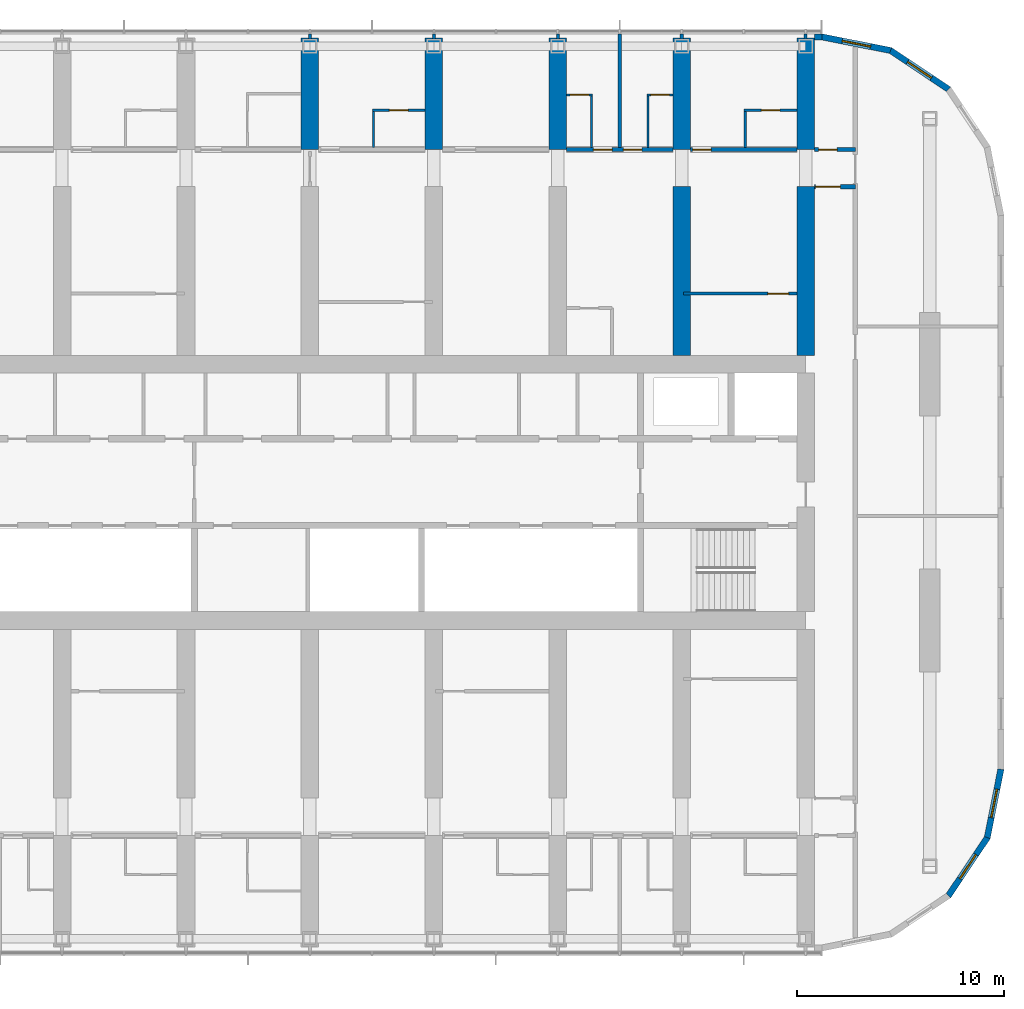
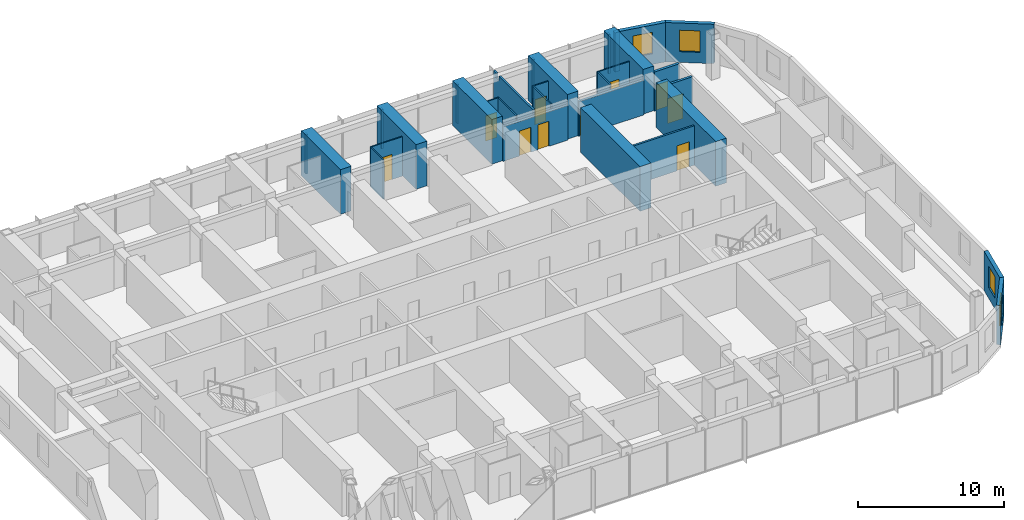
# One storey, part 16 of 22: 31 walls, 10 doors, 4 windows, 14 openings.
"""IFC4 building model written with IfcOpenShell, lengths in metres."""

from ifc_helpers import new_model, si_unit, direction, frame, frame_2d, origin, place, context, subcontext, project, spatial, polyline, rectangle, outline, extrude, material, layer, layer_set, type_object, element, fill, save


model = new_model("IFC4")

# Units and contexts
model_context = context("Model", 3, precision=1e-05, world=origin(), true_north=direction((0.0, 1.0)))
body_context = subcontext(model_context, "Body", "Model", "MODEL_VIEW")
ifc_project = project(units=[si_unit("LENGTHUNIT", "METRE"), si_unit("AREAUNIT", "SQUARE_METRE"), si_unit("VOLUMEUNIT", "CUBIC_METRE"), si_unit("PLANEANGLEUNIT", "RADIAN"), si_unit("MASSUNIT", "GRAM", prefix="KILO")], contexts=[model_context])

# Site, building, storey
site_placement = place(None, origin())
site = spatial("IfcSite", under=ifc_project, at=site_placement, CompositionType="ELEMENT")
building_placement = place(site_placement, origin())
building = spatial("IfcBuilding", under=site, at=building_placement, Name="Orbita Commons", CompositionType="ELEMENT")
storey_placement = place(building_placement, frame((0.0, 0.0, 189.85009765625)))
storey = spatial("IfcBuildingStorey", under=building, at=storey_placement, Name="L47", CompositionType="ELEMENT", Elevation=189.85009765625)

# Wall, openings, doors
ifc_material_1 = material(Name="Concrete blockwork", Category="masonry")
ifc_layer_1 = layer(ifc_material_1, 0.199951171875)
ifc_layer_set_1 = layer_set([ifc_layer_1], Name="Concrete blockwork")
wall_type_1 = type_object("IfcWallType", Name="Corridor wall 200 blockwork", PredefinedType="SOLIDWALL", material=ifc_layer_set_1)
wall_1_placement = place(storey_placement, frame((54.425048828125, 48.60009765625, 0.0), z_axis=(0.0, 0.0, 1.0), x_axis=(1.0, 0.0, 0.0)))
wall_1 = element("IfcWall", 1, at=wall_1_placement, inside=storey, type_object=wall_type_1, Name="Corridor wall 200 blockwork L47", PredefinedType="SOLIDWALL", context=body_context, shape_type="SweptSolid", body=[
    extrude(outline(polyline([(0.0, 0.0), (5.14990234375, 0.0), (5.14990234375, 2.89990234375), (0.0, 2.89990234375), (0.0, 0.0)])), frame((0.0, 0.10009765625, 0.0), z_axis=(0.0, -1.0, 0.0), x_axis=(1.0, 0.0, 0.0)), (0.0, 0.0, 1.0), 0.199951171875),
])
opening_1_placement = place(wall_1_placement, frame((1.300048828125, 0.0, 0.0)))
opening_1 = element("IfcOpeningElement", 2, at=opening_1_placement, cuts=wall_1, Name="Opening D11", PredefinedType="OPENING", context=body_context, shape_type="SweptSolid", body=[
    extrude(rectangle(XDim=0.89990234375, YDim=2.10009765625, at=frame_2d((0.449951171875, 1.050048828125))), frame((0.0, 0.10986328125, 0.0), z_axis=(0.0, -1.0, 0.0), x_axis=(1.0, 0.0, 0.0)), (0.0, 0.0, 1.0), 0.219970703125),
])
opening_2_placement = place(wall_1_placement, frame((2.75, 0.0, 0.0)))
opening_2 = element("IfcOpeningElement", 3, at=opening_2_placement, cuts=wall_1, Name="Opening D11", PredefinedType="OPENING", context=body_context, shape_type="SweptSolid", body=[
    extrude(rectangle(XDim=0.89990234375, YDim=2.10009765625, at=frame_2d((0.449951171875, 1.050048828125))), frame((0.0, 0.10986328125, 0.0), z_axis=(0.0, -1.0, 0.0), x_axis=(1.0, 0.0, 0.0)), (0.0, 0.0, 1.0), 0.219970703125),
])
ifc_material_2 = material(Name="Steel-faced fire door leaf", Category="steel")
door_type_1 = type_object("IfcDoorType", Name="Corridor door 20 min 900x2100", OperationType="SINGLE_SWING_LEFT", PredefinedType="DOOR", material=ifc_material_2)
door_1_placement = place(opening_1_placement, origin())
door_1 = element("IfcDoor", 4, at=door_1_placement, inside=storey, type_object=door_type_1, Name="Cluster bedroom L47-N12 door", OperationType="SINGLE_SWING_LEFT", OverallHeight=2.10009765625, OverallWidth=0.89990234375, PredefinedType="DOOR", context=body_context, shape_type="SweptSolid", body=[
    extrude(rectangle(XDim=0.89990234375, YDim=2.10009765625, at=frame_2d((0.449951171875, 1.050048828125))), frame((0.0, 0.02490234375, 0.0), z_axis=(0.0, -1.0, 0.0), x_axis=(1.0, 0.0, 0.0)), (0.0, 0.0, 1.0), 0.050048828125),
])
fill(opening_1, door_1)
door_2_placement = place(opening_2_placement, origin())
door_2 = element("IfcDoor", 5, at=door_2_placement, inside=storey, type_object=door_type_1, Name="Cluster bedroom L47-N13 door", OperationType="SINGLE_SWING_LEFT", OverallHeight=2.10009765625, OverallWidth=0.89990234375, PredefinedType="DOOR", context=body_context, shape_type="SweptSolid", body=[
    extrude(rectangle(XDim=0.89990234375, YDim=2.10009765625, at=frame_2d((0.449951171875, 1.050048828125))), frame((0.0, 0.02490234375, 0.0), z_axis=(0.0, -1.0, 0.0), x_axis=(1.0, 0.0, 0.0)), (0.0, 0.0, 1.0), 0.050048828125),
])
fill(opening_2, door_2)

# Wall, opening, door
wall_2_placement = place(storey_placement, frame((60.425048828125, 48.60009765625, 0.0), z_axis=(0.0, 0.0, 1.0), x_axis=(1.0, 0.0, 0.0)))
wall_2 = element("IfcWall", 6, at=wall_2_placement, inside=storey, type_object=wall_type_1, Name="Corridor wall 200 blockwork L47", PredefinedType="SOLIDWALL", context=body_context, shape_type="SweptSolid", body=[
    extrude(outline(polyline([(0.0, 0.0), (5.14990234375, 0.0), (5.14990234375, 2.89990234375), (0.0, 2.89990234375), (0.0, 0.0)])), frame((0.0, 0.10009765625, 0.0), z_axis=(0.0, -1.0, 0.0), x_axis=(1.0, 0.0, 0.0)), (0.0, 0.0, 1.0), 0.199951171875),
])
opening_3_placement = place(wall_2_placement, frame((0.10009765625, 0.0, 0.0)))
opening_3 = element("IfcOpeningElement", 7, at=opening_3_placement, cuts=wall_2, Name="Opening D11", PredefinedType="OPENING", context=body_context, shape_type="SweptSolid", body=[
    extrude(rectangle(XDim=0.89990234375, YDim=2.10009765625, at=frame_2d((0.449951171875, 1.050048828125))), frame((0.0, 0.10986328125, 0.0), z_axis=(0.0, -1.0, 0.0), x_axis=(1.0, 0.0, 0.0)), (0.0, 0.0, 1.0), 0.219970703125),
])
door_3_placement = place(opening_3_placement, origin())
door_3 = element("IfcDoor", 8, at=door_3_placement, inside=storey, type_object=door_type_1, Name="Twin room L47-N14 door", OperationType="SINGLE_SWING_LEFT", OverallHeight=2.10009765625, OverallWidth=0.89990234375, PredefinedType="DOOR", context=body_context, shape_type="SweptSolid", body=[
    extrude(rectangle(XDim=0.89990234375, YDim=2.10009765625, at=frame_2d((0.449951171875, 1.050048828125))), frame((0.0, 0.02490234375, 0.0), z_axis=(0.0, -1.0, 0.0), x_axis=(1.0, 0.0, 0.0)), (0.0, 0.0, 1.0), 0.050048828125),
])
fill(opening_3, door_3)

wall_3_placement = place(storey_placement, frame((66.425048828125, 48.60009765625, 0.0), z_axis=(0.0, 0.0, 1.0), x_axis=(1.0, 0.0, 0.0)))
wall_3 = element("IfcWall", 9, at=wall_3_placement, inside=storey, type_object=wall_type_1, Name="Corridor wall 200 blockwork L47", PredefinedType="SOLIDWALL", context=body_context, shape_type="SweptSolid", body=[
    extrude(rectangle(XDim=1.974853515625, YDim=0.199951171875, at=frame_2d((0.9873046875, 0.0))), origin(), (0.0, 0.0, 1.0), 3.2998046875),
])
opening_4_placement = place(wall_3_placement, frame((0.199951171875, 0.0, 0.0)))
opening_4 = element("IfcOpeningElement", 10, at=opening_4_placement, cuts=wall_3, Name="Opening D05", PredefinedType="OPENING", context=body_context, shape_type="SweptSolid", body=[
    extrude(rectangle(XDim=0.89990234375, YDim=2.10009765625, at=frame_2d((0.449951171875, 1.050048828125))), frame((0.0, 0.10986328125, 0.0), z_axis=(0.0, -1.0, 0.0), x_axis=(1.0, 0.0, 0.0)), (0.0, 0.0, 1.0), 0.219970703125),
])
ifc_material_3 = material(Name="Steel-faced fire door leaf", Category="steel")
door_type_2 = type_object("IfcDoorType", Name="Service door 20 min 900x2100", OperationType="SINGLE_SWING_LEFT", PredefinedType="DOOR", material=ifc_material_3)
door_4_placement = place(opening_4_placement, origin())
door_4 = element("IfcDoor", 11, at=door_4_placement, inside=storey, type_object=door_type_2, Name="Linen store L47-KEN door", OperationType="SINGLE_SWING_LEFT", OverallHeight=2.10009765625, OverallWidth=0.89990234375, PredefinedType="DOOR", context=body_context, shape_type="SweptSolid", body=[
    extrude(rectangle(XDim=0.89990234375, YDim=2.10009765625, at=frame_2d((0.449951171875, 1.050048828125))), frame((0.0, 0.02490234375, 0.0), z_axis=(0.0, -1.0, 0.0), x_axis=(1.0, 0.0, 0.0)), (0.0, 0.0, 1.0), 0.050048828125),
])
fill(opening_4, door_4)

ifc_material_4 = material(Name="Hollow concrete block 200", Category="concrete")
ifc_layer_2 = layer(ifc_material_4, 0.199951171875)
ifc_layer_set_2 = layer_set([ifc_layer_2], Name="Hollow concrete block 200")
wall_type_2 = type_object("IfcWallType", Name="Corridor wall 200 hollow concrete block", PredefinedType="SOLIDWALL", material=ifc_layer_set_2)
wall_4_placement = place(storey_placement, frame((66.425048828125, 46.800048828125, 0.0), z_axis=(0.0, 0.0, 1.0), x_axis=(1.0, 0.0, 0.0)))
wall_4 = element("IfcWall", 12, at=wall_4_placement, inside=storey, type_object=wall_type_2, Name="Corridor wall 200 hollow concrete block L47", PredefinedType="SOLIDWALL", context=body_context, shape_type="SweptSolid", body=[
    extrude(rectangle(XDim=1.974853515625, YDim=0.199951171875, at=frame_2d((0.9873046875, 0.0))), origin(), (0.0, 0.0, 1.0), 3.2998046875),
])
opening_5_placement = place(wall_4_placement, frame((0.050048828125, 0.0, 0.0)))
opening_5 = element("IfcOpeningElement", 13, at=opening_5_placement, cuts=wall_4, Name="Opening D12", PredefinedType="OPENING", context=body_context, shape_type="SweptSolid", body=[
    extrude(rectangle(XDim=1.199951171875, YDim=2.10009765625, at=frame_2d((0.60009765625, 1.050048828125))), frame((0.0, 0.10986328125, 0.0), z_axis=(0.0, -1.0, 0.0), x_axis=(1.0, 0.0, 0.0)), (0.0, 0.0, 1.0), 0.219970703125),
])
ifc_material_5 = material(Name="Steel-faced fire door leaf", Category="steel")
door_type_3 = type_object("IfcDoorType", Name="Double corridor door 20 min 1200x2100", OperationType="DOUBLE_DOOR_SINGLE_SWING", PredefinedType="DOOR", material=ifc_material_5)
door_5_placement = place(opening_5_placement, origin())
door_5 = element("IfcDoor", 14, at=door_5_placement, inside=storey, type_object=door_type_3, Name="Cross corridor doors", OperationType="DOUBLE_DOOR_SINGLE_SWING", OverallHeight=2.10009765625, OverallWidth=1.199951171875, PredefinedType="DOOR", context=body_context, shape_type="SweptSolid", body=[
    extrude(rectangle(XDim=1.199951171875, YDim=2.10009765625, at=frame_2d((0.60009765625, 1.050048828125))), frame((0.0, 0.02490234375, 0.0), z_axis=(0.0, -1.0, 0.0), x_axis=(1.0, 0.0, 0.0)), (0.0, 0.0, 1.0), 0.050048828125),
])
fill(opening_5, door_5)

# Walls
ifc_material_6 = material(Name="Concrete C50/60", Category="concrete")
ifc_layer_3 = layer(ifc_material_6, 0.85009765625)
ifc_layer_set_3 = layer_set([ifc_layer_3], Name="Concrete C50/60")
wall_type_3 = type_object("IfcWallType", Name="Cross wall 850 C50/60", PredefinedType="SHEAR", material=ifc_layer_set_3)
for number, where, z_axis, x_axis, name in (
    (15, (42.0, 48.60009765625, 0.0), (0.0, 0.0, 1.0), (0.0, 1.0, 0.0), "Cross wall 8 north outer L47"),
    (16, (48.0, 48.60009765625, 0.0), (0.0, 0.0, 1.0), (0.0, 1.0, 0.0), "Cross wall 9 north outer L47"),
    (17, (54.0, 48.60009765625, 0.0), (0.0, 0.0, 1.0), (0.0, 1.0, 0.0), "Cross wall 10 north outer L47"),
    (18, (60.0, 48.60009765625, 0.0), (0.0, 0.0, 1.0), (0.0, 1.0, 0.0), "Cross wall 11 north outer L47"),
):
    element("IfcWall", number, at=place(storey_placement, frame(where, z_axis=z_axis, x_axis=x_axis)), inside=storey, type_object=wall_type_3, Name=name, PredefinedType="SHEAR", context=body_context, shape_type="SweptSolid", body=[
        extrude(rectangle(XDim=5.39990234375, YDim=0.85009765625, at=frame_2d((2.699951171875, 0.0))), origin(), (0.0, 0.0, 1.0), 3.75),
    ])
wall_5_placement = place(storey_placement, frame((60.0, 38.625, 0.0), z_axis=(0.0, 0.0, 1.0), x_axis=(0.0, 1.0, 0.0)))
element("IfcWall", 19, at=wall_5_placement, inside=storey, type_object=wall_type_3, Name="Cross wall 11 north inner L47", PredefinedType="SHEAR", context=body_context, shape_type="SweptSolid", body=[
    extrude(rectangle(XDim=8.175048828125, YDim=0.85009765625, at=frame_2d((4.08740234375, 0.0))), origin(), (0.0, 0.0, 1.0), 3.75),
])
wall_6_placement = place(storey_placement, frame((66.0, 48.60009765625, 0.0), z_axis=(0.0, 0.0, 1.0), x_axis=(0.0, 1.0, 0.0)))
element("IfcWall", 20, at=wall_6_placement, inside=storey, type_object=wall_type_3, Name="Cross wall 12 north outer L47", PredefinedType="SHEAR", context=body_context, shape_type="SweptSolid", body=[
    extrude(rectangle(XDim=5.39990234375, YDim=0.85009765625, at=frame_2d((2.699951171875, 0.0))), origin(), (0.0, 0.0, 1.0), 3.75),
])
wall_7_placement = place(storey_placement, frame((66.0, 38.625, 0.0), z_axis=(0.0, 0.0, 1.0), x_axis=(0.0, 1.0, 0.0)))
element("IfcWall", 21, at=wall_7_placement, inside=storey, type_object=wall_type_3, Name="Cross wall 12 north inner L47", PredefinedType="SHEAR", context=body_context, shape_type="SweptSolid", body=[
    extrude(rectangle(XDim=8.175048828125, YDim=0.85009765625, at=frame_2d((4.08740234375, 0.0))), origin(), (0.0, 0.0, 1.0), 3.75),
])

# Wall, opening, door
ifc_material_7 = material(Name="Moisture-resistant plasterboard on steel studs", Category="steel")
ifc_layer_4 = layer(ifc_material_7, 0.10009765625)
ifc_layer_set_4 = layer_set([ifc_layer_4], Name="Moisture-resistant plasterboard on steel studs")
wall_type_4 = type_object("IfcWallType", Name="En-suite partition 100", PredefinedType="PARTITIONING", material=ifc_layer_set_4)
wall_8_placement = place(storey_placement, frame((45.02490234375, 50.5, 0.0), z_axis=(0.0, 0.0, 1.0), x_axis=(1.0, 0.0, 0.0)))
wall_8 = element("IfcWall", 22, at=wall_8_placement, inside=storey, type_object=wall_type_4, Name="En-suite partition 100 L47", PredefinedType="PARTITIONING", context=body_context, shape_type="SweptSolid", body=[
    extrude(rectangle(XDim=2.550048828125, YDim=0.10009765625, at=frame_2d((1.27490234375, 0.0))), origin(), (0.0, 0.0, 1.0), 3.2998046875),
])
opening_6_placement = place(wall_8_placement, frame((0.824951171875, 0.0, 0.0)))
opening_6 = element("IfcOpeningElement", 23, at=opening_6_placement, cuts=wall_8, Name="Opening D09", PredefinedType="OPENING", context=body_context, shape_type="SweptSolid", body=[
    extrude(rectangle(XDim=0.89990234375, YDim=2.10009765625, at=frame_2d((0.449951171875, 1.050048828125))), frame((0.0, 0.06005859375, 0.0), z_axis=(0.0, -1.0, 0.0), x_axis=(1.0, 0.0, 0.0)), (0.0, 0.0, 1.0), 0.1201171875),
])
ifc_material_8 = material(Name="Laminated timber door leaf", Category="wood")
door_type_4 = type_object("IfcDoorType", Name="En-suite door 900x2100", OperationType="SINGLE_SWING_RIGHT", PredefinedType="DOOR", material=ifc_material_8)
door_6_placement = place(opening_6_placement, origin())
door_6 = element("IfcDoor", 24, at=door_6_placement, inside=storey, type_object=door_type_4, Name="En-suite L47-N08 door", OperationType="SINGLE_SWING_RIGHT", OverallHeight=2.10009765625, OverallWidth=0.89990234375, PredefinedType="DOOR", context=body_context, shape_type="SweptSolid", body=[
    extrude(rectangle(XDim=0.89990234375, YDim=2.10009765625, at=frame_2d((0.449951171875, 1.050048828125))), frame((0.0, 0.02490234375, 0.0), z_axis=(0.0, -1.0, 0.0), x_axis=(1.0, 0.0, 0.0)), (0.0, 0.0, 1.0), 0.050048828125),
])
fill(opening_6, door_6)

# Wall
wall_9_placement = place(storey_placement, frame((45.074951171875, 50.449951171875, 0.0), z_axis=(0.0, 0.0, 1.0), x_axis=(0.0, -1.0, 0.0)))
element("IfcWall", 25, at=wall_9_placement, inside=storey, type_object=wall_type_4, Name="En-suite partition 100 L47", PredefinedType="PARTITIONING", context=body_context, shape_type="SweptSolid", body=[
    extrude(outline(polyline([(0.0, 0.0), (1.75, 0.0), (1.75, 2.89990234375), (1.701904296875, 2.89990234375), (1.699951171875, 3.2998046875), (0.0, 3.2998046875), (0.0, 0.0)])), frame((0.0, 0.050048828125, 0.0), z_axis=(0.0, -1.0, 0.0), x_axis=(1.0, 0.0, 0.0)), (0.0, 0.0, 1.0), 0.10009765625),
])

# Wall, opening, door
wall_10_placement = place(storey_placement, frame((54.425048828125, 51.24169921875, 0.0), z_axis=(0.0, 0.0, 1.0), x_axis=(1.0, 0.0, 0.0)))
wall_10 = element("IfcWall", 26, at=wall_10_placement, inside=storey, type_object=wall_type_4, Name="En-suite partition 100 L47", PredefinedType="PARTITIONING", context=body_context, shape_type="SweptSolid", body=[
    extrude(rectangle(XDim=1.25, YDim=0.10009765625, at=frame_2d((0.625, 0.0))), origin(), (0.0, 0.0, 1.0), 3.2998046875),
])
opening_7_placement = place(wall_10_placement, frame((0.175048828125, 0.0, 0.0)))
opening_7 = element("IfcOpeningElement", 27, at=opening_7_placement, cuts=wall_10, Name="Opening D09", PredefinedType="OPENING", context=body_context, shape_type="SweptSolid", body=[
    extrude(rectangle(XDim=0.89990234375, YDim=2.10009765625, at=frame_2d((0.449951171875, 1.050048828125))), frame((0.0, 0.06005859375, 0.0), z_axis=(0.0, -1.0, 0.0), x_axis=(1.0, 0.0, 0.0)), (0.0, 0.0, 1.0), 0.1201171875),
])
door_7_placement = place(opening_7_placement, origin())
door_7 = element("IfcDoor", 28, at=door_7_placement, inside=storey, type_object=door_type_4, Name="En-suite L47-N12 door", OperationType="SINGLE_SWING_RIGHT", OverallHeight=2.10009765625, OverallWidth=0.89990234375, PredefinedType="DOOR", context=body_context, shape_type="SweptSolid", body=[
    extrude(rectangle(XDim=0.89990234375, YDim=2.10009765625, at=frame_2d((0.449951171875, 1.050048828125))), frame((0.0, 0.02490234375, 0.0), z_axis=(0.0, -1.0, 0.0), x_axis=(1.0, 0.0, 0.0)), (0.0, 0.0, 1.0), 0.050048828125),
])
fill(opening_7, door_7)

# Wall
wall_11_placement = place(storey_placement, frame((55.625, 51.191650390625, 0.0), z_axis=(0.0, 0.0, 1.0), x_axis=(0.0, -1.0, 0.0)))
element("IfcWall", 29, at=wall_11_placement, inside=storey, type_object=wall_type_4, Name="En-suite partition 100 L47", PredefinedType="PARTITIONING", context=body_context, shape_type="SweptSolid", body=[
    extrude(outline(polyline([(0.0, 0.0), (2.49169921875, 0.0), (2.49169921875, 2.89990234375), (2.443603515625, 2.89990234375), (2.441650390625, 3.2998046875), (0.0, 3.2998046875), (0.0, 0.0)])), frame((0.0, 0.050048828125, 0.0), z_axis=(0.0, -1.0, 0.0), x_axis=(1.0, 0.0, 0.0)), (0.0, 0.0, 1.0), 0.10009765625),
])

# Wall, opening, door
wall_12_placement = place(storey_placement, frame((58.324951171875, 51.24169921875, 0.0), z_axis=(0.0, 0.0, 1.0), x_axis=(1.0, 0.0, 0.0)))
wall_12 = element("IfcWall", 30, at=wall_12_placement, inside=storey, type_object=wall_type_4, Name="En-suite partition 100 L47", PredefinedType="PARTITIONING", context=body_context, shape_type="SweptSolid", body=[
    extrude(rectangle(XDim=1.25, YDim=0.10009765625, at=frame_2d((0.625, 0.0))), origin(), (0.0, 0.0, 1.0), 3.2998046875),
])
opening_8_placement = place(wall_12_placement, frame((0.175048828125, 0.0, 0.0)))
opening_8 = element("IfcOpeningElement", 31, at=opening_8_placement, cuts=wall_12, Name="Opening D09", PredefinedType="OPENING", context=body_context, shape_type="SweptSolid", body=[
    extrude(rectangle(XDim=0.89990234375, YDim=2.10009765625, at=frame_2d((0.449951171875, 1.050048828125))), frame((0.0, 0.06005859375, 0.0), z_axis=(0.0, -1.0, 0.0), x_axis=(1.0, 0.0, 0.0)), (0.0, 0.0, 1.0), 0.1201171875),
])
door_8_placement = place(opening_8_placement, origin())
door_8 = element("IfcDoor", 32, at=door_8_placement, inside=storey, type_object=door_type_4, Name="En-suite L47-N13 door", OperationType="SINGLE_SWING_RIGHT", OverallHeight=2.10009765625, OverallWidth=0.89990234375, PredefinedType="DOOR", context=body_context, shape_type="SweptSolid", body=[
    extrude(rectangle(XDim=0.89990234375, YDim=2.10009765625, at=frame_2d((0.449951171875, 1.050048828125))), frame((0.0, 0.02490234375, 0.0), z_axis=(0.0, -1.0, 0.0), x_axis=(1.0, 0.0, 0.0)), (0.0, 0.0, 1.0), 0.050048828125),
])
fill(opening_8, door_8)

# Wall
wall_13_placement = place(storey_placement, frame((58.375, 51.191650390625, 0.0), z_axis=(0.0, 0.0, 1.0), x_axis=(0.0, -1.0, 0.0)))
element("IfcWall", 33, at=wall_13_placement, inside=storey, type_object=wall_type_4, Name="En-suite partition 100 L47", PredefinedType="PARTITIONING", context=body_context, shape_type="SweptSolid", body=[
    extrude(outline(polyline([(0.0, 0.0), (2.49169921875, 0.0), (2.49169921875, 2.89990234375), (2.443603515625, 2.89990234375), (2.441650390625, 3.2998046875), (0.0, 3.2998046875), (0.0, 0.0)])), frame((0.0, 0.050048828125, 0.0), z_axis=(0.0, -1.0, 0.0), x_axis=(1.0, 0.0, 0.0)), (0.0, 0.0, 1.0), 0.10009765625),
])

# Wall, opening, door
wall_14_placement = place(storey_placement, frame((63.02490234375, 50.5, 0.0), z_axis=(0.0, 0.0, 1.0), x_axis=(1.0, 0.0, 0.0)))
wall_14 = element("IfcWall", 34, at=wall_14_placement, inside=storey, type_object=wall_type_4, Name="En-suite partition 100 L47", PredefinedType="PARTITIONING", context=body_context, shape_type="SweptSolid", body=[
    extrude(rectangle(XDim=2.550048828125, YDim=0.10009765625, at=frame_2d((1.27490234375, 0.0))), origin(), (0.0, 0.0, 1.0), 3.2998046875),
])
opening_9_placement = place(wall_14_placement, frame((0.824951171875, 0.0, 0.0)))
opening_9 = element("IfcOpeningElement", 35, at=opening_9_placement, cuts=wall_14, Name="Opening D09", PredefinedType="OPENING", context=body_context, shape_type="SweptSolid", body=[
    extrude(rectangle(XDim=0.89990234375, YDim=2.10009765625, at=frame_2d((0.449951171875, 1.050048828125))), frame((0.0, 0.06005859375, 0.0), z_axis=(0.0, -1.0, 0.0), x_axis=(1.0, 0.0, 0.0)), (0.0, 0.0, 1.0), 0.1201171875),
])
door_9_placement = place(opening_9_placement, origin())
door_9 = element("IfcDoor", 36, at=door_9_placement, inside=storey, type_object=door_type_4, Name="En-suite L47-N14 door", OperationType="SINGLE_SWING_RIGHT", OverallHeight=2.10009765625, OverallWidth=0.89990234375, PredefinedType="DOOR", context=body_context, shape_type="SweptSolid", body=[
    extrude(rectangle(XDim=0.89990234375, YDim=2.10009765625, at=frame_2d((0.449951171875, 1.050048828125))), frame((0.0, 0.02490234375, 0.0), z_axis=(0.0, -1.0, 0.0), x_axis=(1.0, 0.0, 0.0)), (0.0, 0.0, 1.0), 0.050048828125),
])
fill(opening_9, door_9)

# Wall
wall_15_placement = place(storey_placement, frame((63.074951171875, 50.449951171875, 0.0), z_axis=(0.0, 0.0, 1.0), x_axis=(0.0, -1.0, 0.0)))
element("IfcWall", 37, at=wall_15_placement, inside=storey, type_object=wall_type_4, Name="En-suite partition 100 L47", PredefinedType="PARTITIONING", context=body_context, shape_type="SweptSolid", body=[
    extrude(outline(polyline([(0.0, 0.0), (1.75, 0.0), (1.75, 2.89990234375), (1.701904296875, 2.89990234375), (1.699951171875, 3.2998046875), (0.0, 3.2998046875), (0.0, 0.0)])), frame((0.0, 0.050048828125, 0.0), z_axis=(0.0, -1.0, 0.0), x_axis=(1.0, 0.0, 0.0)), (0.0, 0.0, 1.0), 0.10009765625),
])

# Wall, opening, door
ifc_material_9 = material(Name="Gypsum plasterboard on steel studs", Category="steel")
ifc_layer_5 = layer(ifc_material_9, 0.14990234375)
ifc_layer_set_5 = layer_set([ifc_layer_5], Name="Gypsum plasterboard on steel studs")
wall_type_5 = type_object("IfcWallType", Name="Partition 150 plasterboard", PredefinedType="PARTITIONING", material=ifc_layer_set_5)
wall_16_placement = place(storey_placement, frame((65.574951171875, 41.625, 0.0), z_axis=(0.0, 0.0, 1.0), x_axis=(-1.0, 0.0, 0.0)))
wall_16 = element("IfcWall", 38, at=wall_16_placement, inside=storey, type_object=wall_type_5, Name="Partition 150 plasterboard L47", PredefinedType="PARTITIONING", context=body_context, shape_type="SweptSolid", body=[
    extrude(rectangle(XDim=5.5, YDim=0.14990234375, at=frame_2d((2.75, 0.0))), origin(), (0.0, 0.0, 1.0), 3.2998046875),
])
opening_10_placement = place(wall_16_placement, frame((0.39990234375, 0.0, 0.0)))
opening_10 = element("IfcOpeningElement", 39, at=opening_10_placement, cuts=wall_16, Name="Opening D18", PredefinedType="OPENING", context=body_context, shape_type="SweptSolid", body=[
    extrude(rectangle(XDim=1.0, YDim=2.10009765625, at=frame_2d((0.5, 1.050048828125))), frame((0.0, 0.0849609375, 0.0), z_axis=(0.0, -1.0, 0.0), x_axis=(1.0, 0.0, 0.0)), (0.0, 0.0, 1.0), 0.169921875),
])
ifc_material_10 = material(Name="Steel-faced fire door leaf", Category="steel")
door_type_5 = type_object("IfcDoorType", Name="Service door 20 min 1000x2100", OperationType="SINGLE_SWING_LEFT", PredefinedType="DOOR", material=ifc_material_10)
door_10_placement = place(opening_10_placement, origin())
door_10 = element("IfcDoor", 40, at=door_10_placement, inside=storey, type_object=door_type_5, Name="Bulk and luggage store L47-BDN60 door", OperationType="SINGLE_SWING_LEFT", OverallHeight=2.10009765625, OverallWidth=1.0, PredefinedType="DOOR", context=body_context, shape_type="SweptSolid", body=[
    extrude(rectangle(XDim=1.0, YDim=2.10009765625, at=frame_2d((0.5, 1.050048828125))), frame((0.0, 0.02490234375, 0.0), z_axis=(0.0, -1.0, 0.0), x_axis=(1.0, 0.0, 0.0)), (0.0, 0.0, 1.0), 0.050048828125),
])
fill(opening_10, door_10)

# Walls
for number, where, z_axis, x_axis, name in (
    (41, (42.0, 53.949951171875, 0.0), (0.0, 0.0, 1.0), (0.0, 1.0, 0.0), "Partition 150 plasterboard L47"),
    (42, (48.0, 53.949951171875, 0.0), (0.0, 0.0, 1.0), (0.0, 1.0, 0.0), "Partition 150 plasterboard L47"),
    (43, (54.0, 53.949951171875, 0.0), (0.0, 0.0, 1.0), (0.0, 1.0, 0.0), "Partition 150 plasterboard L47"),
    (44, (60.0, 53.949951171875, 0.0), (0.0, 0.0, 1.0), (0.0, 1.0, 0.0), "Partition 150 plasterboard L47"),
    (45, (66.0, 53.949951171875, 0.0), (0.0, 0.0, 1.0), (0.0, 1.0, 0.0), "Partition 150 plasterboard L47"),
):
    element("IfcWall", number, at=place(storey_placement, frame(where, z_axis=z_axis, x_axis=x_axis)), inside=storey, type_object=wall_type_5, Name=name, PredefinedType="PARTITIONING", context=body_context, shape_type="SweptSolid", body=[
        extrude(rectangle(XDim=0.239990234375, YDim=0.14990234375, at=frame_2d((0.1201171875, 0.0))), origin(), (0.0, 0.0, 1.0), 3.2998046875),
    ])
ifc_material_11 = material(Name="Gypsum plasterboard on steel studs", Category="steel")
ifc_layer_6 = layer(ifc_material_11, 0.14990234375)
ifc_layer_set_6 = layer_set([ifc_layer_6], Name="Gypsum plasterboard on steel studs")
wall_type_6 = type_object("IfcWallType", Name="Party wall 150 plasterboard", PredefinedType="PARTITIONING", material=ifc_layer_set_6)
wall_17_placement = place(storey_placement, frame((57.0, 54.18994140625, 0.0), z_axis=(0.0, 0.0, 1.0), x_axis=(0.0, -1.0, 0.0)))
element("IfcWall", 46, at=wall_17_placement, inside=storey, type_object=wall_type_6, Name="Party wall 150 plasterboard L47", PredefinedType="PARTITIONING", context=body_context, shape_type="SweptSolid", body=[
    extrude(outline(polyline([(0.0, 0.0), (5.489990234375, 0.0), (5.489990234375, 2.89990234375), (5.44189453125, 2.89990234375), (5.43994140625, 3.2998046875), (0.7919921875, 3.2998046875), (0.7900390625, 2.89990234375), (0.39208984375, 2.89990234375), (0.389892578125, 3.2998046875), (0.0, 3.2998046875), (0.0, 0.0)])), frame((0.0, 0.074951171875, 0.0), z_axis=(0.0, -1.0, 0.0), x_axis=(1.0, 0.0, 0.0)), (0.0, 0.0, 1.0), 0.14990234375),
])

# Wall, opening, window
ifc_material_12 = material(Name="Precast concrete C40/50, white board-marked finish", Category="concrete")
ifc_layer_7 = layer(ifc_material_12, 0.300048828125)
ifc_layer_set_7 = layer_set([ifc_layer_7], Name="Precast concrete C40/50, white board-marked finish")
wall_type_7 = type_object("IfcWallType", Name="Precast concrete end shield 300", PredefinedType="SOLIDWALL", material=ifc_layer_set_7)
wall_18_placement = place(storey_placement, frame((72.91650390625, 12.4833984375, 0.0), z_axis=(0.0, 0.0, 1.0), x_axis=(0.555534554399, 0.831493450887, 0.0)))
wall_18 = element("IfcWall", 47, at=wall_18_placement, inside=storey, type_object=wall_type_7, Name="End shield SE chord 3 L47", PredefinedType="SOLIDWALL", context=body_context, shape_type="SweptSolid", body=[
    extrude(outline(polyline([(-0.02978515625, -0.14990234375), (3.405029296875, -0.14990234375), (3.345458984375, 0.14990234375), (0.02978515625, 0.14990234375), (-0.02978515625, -0.14990234375)])), origin(), (0.0, 0.0, 1.0), 3.2998046875),
])
opening_11_placement = place(wall_18_placement, frame((0.987548828125, 0.0, 0.89990234375)))
opening_11 = element("IfcOpeningElement", 48, at=opening_11_placement, cuts=wall_18, Name="Opening W02", PredefinedType="OPENING", context=body_context, shape_type="SweptSolid", body=[
    extrude(rectangle(XDim=1.39990234375, YDim=1.800048828125, at=frame_2d((0.699951171875, 0.89990234375))), frame((0.0, 0.159912109375, 0.0), z_axis=(0.0, -1.0, 0.0), x_axis=(1.0, 0.0, 0.0)), (0.0, 0.0, 1.0), 0.320068359375),
])
ifc_material_13 = material(Name="Aluminium frame, clear double glazing", Category="aluminium")
window_type = type_object("IfcWindowType", Name="Deep-set window 1400x1800", PartitioningType="SINGLE_PANEL", PredefinedType="WINDOW", material=ifc_material_13)
window_1_placement = place(opening_11_placement, origin())
window_1 = element("IfcWindow", 49, at=window_1_placement, inside=storey, type_object=window_type, Name="Window L47-SE2", OverallHeight=1.800048828125, OverallWidth=1.39990234375, PartitioningType="SINGLE_PANEL", PredefinedType="WINDOW", context=body_context, shape_type="SweptSolid", body=[
    extrude(rectangle(XDim=1.39990234375, YDim=1.800048828125, at=frame_2d((0.699951171875, 0.89990234375))), frame((0.0, 0.030029296875, 0.0), z_axis=(0.0, -1.0, 0.0), x_axis=(1.0, 0.0, 0.0)), (0.0, 0.0, 1.0), 0.06005859375),
])
fill(opening_11, window_1)

wall_19_placement = place(storey_placement, frame((74.79150390625, 15.289794921875, 0.0), z_axis=(0.0, 0.0, 1.0), x_axis=(0.19508664885, 0.980786011034, 0.0)))
wall_19 = element("IfcWall", 50, at=wall_19_placement, inside=storey, type_object=wall_type_7, Name="End shield SE chord 4 L47", PredefinedType="SOLIDWALL", context=body_context, shape_type="SweptSolid", body=[
    extrude(outline(polyline([(-0.02978515625, -0.14990234375), (3.39013671875, -0.14990234375), (3.3603515625, 0.14990234375), (0.02978515625, 0.14990234375), (-0.02978515625, -0.14990234375)])), origin(), (0.0, 0.0, 1.0), 3.2998046875),
])
opening_12_placement = place(wall_19_placement, frame((0.987548828125, 0.0, 0.89990234375)))
opening_12 = element("IfcOpeningElement", 51, at=opening_12_placement, cuts=wall_19, Name="Opening W02", PredefinedType="OPENING", context=body_context, shape_type="SweptSolid", body=[
    extrude(rectangle(XDim=1.39990234375, YDim=1.800048828125, at=frame_2d((0.699951171875, 0.89990234375))), frame((0.0, 0.159912109375, 0.0), z_axis=(0.0, -1.0, 0.0), x_axis=(1.0, 0.0, 0.0)), (0.0, 0.0, 1.0), 0.320068359375),
])
window_2_placement = place(opening_12_placement, origin())
window_2 = element("IfcWindow", 52, at=window_2_placement, inside=storey, type_object=window_type, Name="Window L47-SE3", OverallHeight=1.800048828125, OverallWidth=1.39990234375, PartitioningType="SINGLE_PANEL", PredefinedType="WINDOW", context=body_context, shape_type="SweptSolid", body=[
    extrude(rectangle(XDim=1.39990234375, YDim=1.800048828125, at=frame_2d((0.699951171875, 0.89990234375))), frame((0.0, 0.030029296875, 0.0), z_axis=(0.0, -1.0, 0.0), x_axis=(1.0, 0.0, 0.0)), (0.0, 0.0, 1.0), 0.06005859375),
])
fill(opening_12, window_2)

wall_20_placement = place(storey_placement, frame((72.91650390625, 51.5166015625, 0.0), z_axis=(0.0, 0.0, 1.0), x_axis=(-0.831493450887, 0.555534554399, 0.0)))
wall_20 = element("IfcWall", 53, at=wall_20_placement, inside=storey, type_object=wall_type_7, Name="End shield NE chord 3 L47", PredefinedType="SOLIDWALL", context=body_context, shape_type="SweptSolid", body=[
    extrude(outline(polyline([(-0.02978515625, -0.14990234375), (3.405029296875, -0.14990234375), (3.345458984375, 0.14990234375), (0.02978515625, 0.14990234375), (-0.02978515625, -0.14990234375)])), origin(), (0.0, 0.0, 1.0), 3.2998046875),
])
opening_13_placement = place(wall_20_placement, frame((0.987548828125, 0.0, 0.89990234375)))
opening_13 = element("IfcOpeningElement", 54, at=opening_13_placement, cuts=wall_20, Name="Opening W02", PredefinedType="OPENING", context=body_context, shape_type="SweptSolid", body=[
    extrude(rectangle(XDim=1.39990234375, YDim=1.800048828125, at=frame_2d((0.699951171875, 0.89990234375))), frame((0.0, 0.159912109375, 0.0), z_axis=(0.0, -1.0, 0.0), x_axis=(1.0, 0.0, 0.0)), (0.0, 0.0, 1.0), 0.320068359375),
])
window_3_placement = place(opening_13_placement, origin())
window_3 = element("IfcWindow", 55, at=window_3_placement, inside=storey, type_object=window_type, Name="Window L47-NE2", OverallHeight=1.800048828125, OverallWidth=1.39990234375, PartitioningType="SINGLE_PANEL", PredefinedType="WINDOW", context=body_context, shape_type="SweptSolid", body=[
    extrude(rectangle(XDim=1.39990234375, YDim=1.800048828125, at=frame_2d((0.699951171875, 0.89990234375))), frame((0.0, 0.030029296875, 0.0), z_axis=(0.0, -1.0, 0.0), x_axis=(1.0, 0.0, 0.0)), (0.0, 0.0, 1.0), 0.06005859375),
])
fill(opening_13, window_3)

wall_21_placement = place(storey_placement, frame((70.110107421875, 53.3916015625, 0.0), z_axis=(0.0, 0.0, 1.0), x_axis=(-0.98078325777, 0.195100490205, 0.0)))
wall_21 = element("IfcWall", 56, at=wall_21_placement, inside=storey, type_object=wall_type_7, Name="End shield NE chord 4 L47", PredefinedType="SOLIDWALL", context=body_context, shape_type="SweptSolid", body=[
    extrude(outline(polyline([(-0.02978515625, -0.14990234375), (3.40478515625, -0.14990234375), (3.34521484375, 0.14990234375), (0.02978515625, 0.14990234375), (-0.02978515625, -0.14990234375)])), origin(), (0.0, 0.0, 1.0), 3.2998046875),
])
opening_14_placement = place(wall_21_placement, frame((0.987548828125, 0.0, 0.89990234375)))
opening_14 = element("IfcOpeningElement", 57, at=opening_14_placement, cuts=wall_21, Name="Opening W02", PredefinedType="OPENING", context=body_context, shape_type="SweptSolid", body=[
    extrude(rectangle(XDim=1.39990234375, YDim=1.800048828125, at=frame_2d((0.699951171875, 0.89990234375))), frame((0.0, 0.159912109375, 0.0), z_axis=(0.0, -1.0, 0.0), x_axis=(1.0, 0.0, 0.0)), (0.0, 0.0, 1.0), 0.320068359375),
])
window_4_placement = place(opening_14_placement, origin())
window_4 = element("IfcWindow", 58, at=window_4_placement, inside=storey, type_object=window_type, Name="Window L47-NE3", OverallHeight=1.800048828125, OverallWidth=1.39990234375, PartitioningType="SINGLE_PANEL", PredefinedType="WINDOW", context=body_context, shape_type="SweptSolid", body=[
    extrude(rectangle(XDim=1.39990234375, YDim=1.800048828125, at=frame_2d((0.699951171875, 0.89990234375))), frame((0.0, 0.030029296875, 0.0), z_axis=(0.0, -1.0, 0.0), x_axis=(1.0, 0.0, 0.0)), (0.0, 0.0, 1.0), 0.06005859375),
])
fill(opening_14, window_4)

# Wall
wall_22_placement = place(storey_placement, frame((66.800048828125, 54.050048828125, 0.0), z_axis=(0.0, 0.0, 1.0), x_axis=(-1.0, 0.0, 0.0)))
element("IfcWall", 59, at=wall_22_placement, inside=storey, type_object=wall_type_7, Name="End shield NE closer L47", PredefinedType="SOLIDWALL", context=body_context, shape_type="SweptSolid", body=[
    extrude(rectangle(XDim=0.375, YDim=0.300048828125, at=frame_2d((0.1875, 0.0))), origin(), (0.0, 0.0, 1.0), 3.2998046875),
])

save(model, "model.ifc")
